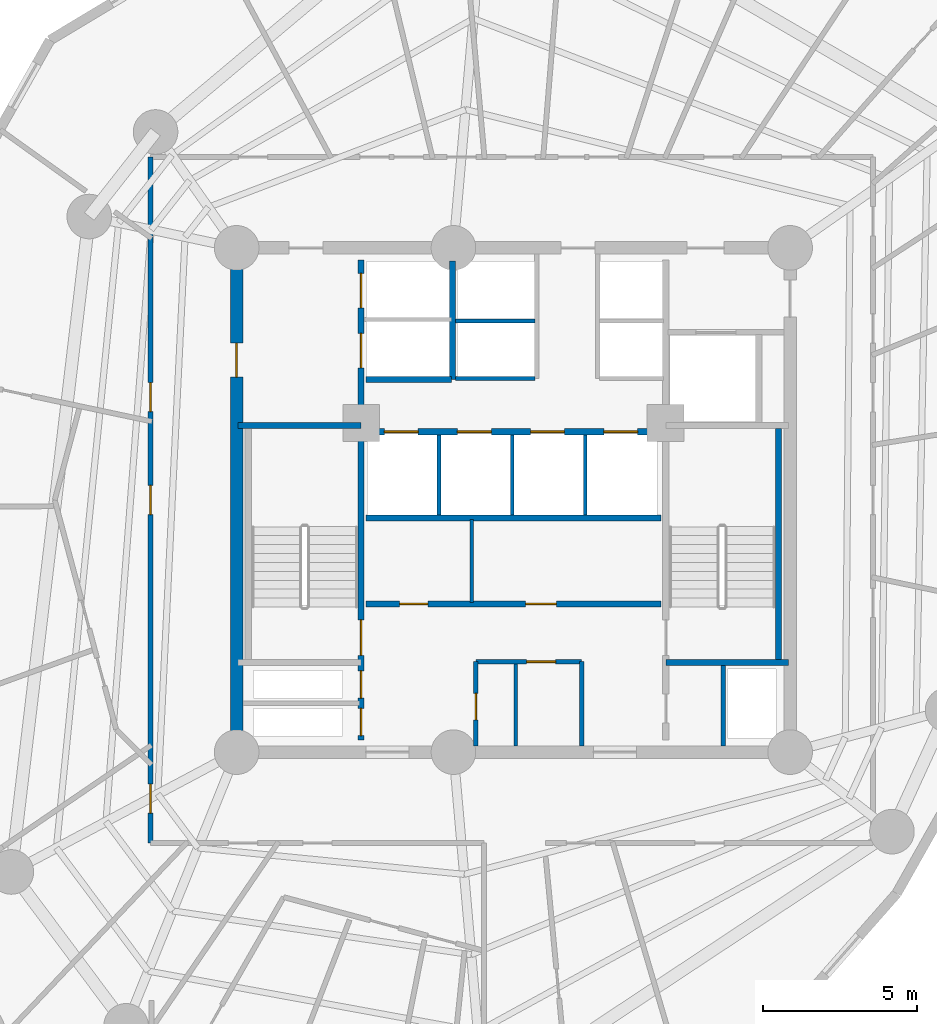
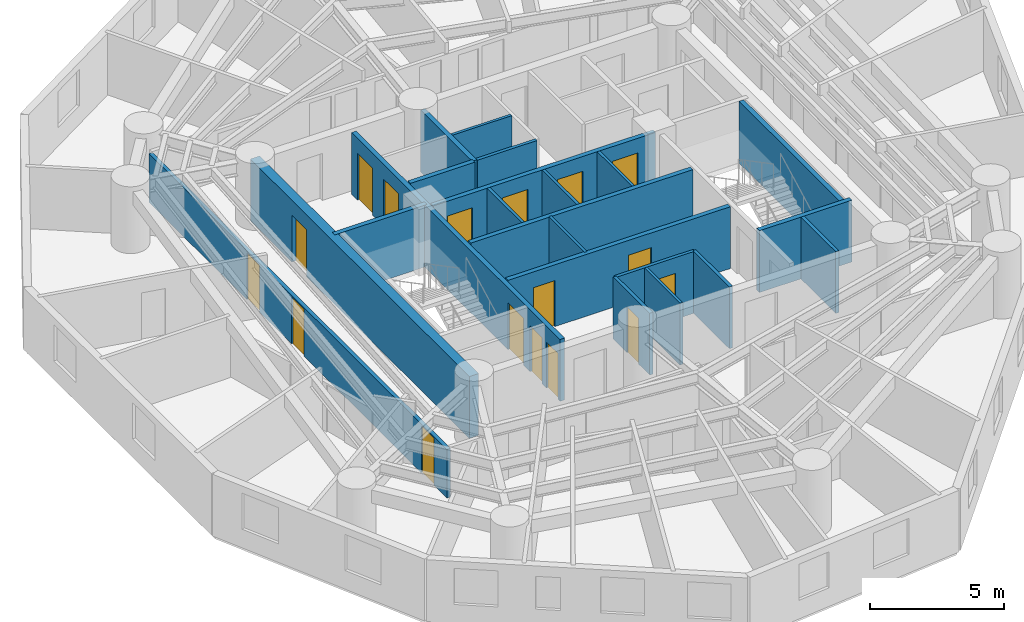
# One storey, part 4 of 8: 22 walls, 17 doors, 17 openings.
"""IFC4 building model written with IfcOpenShell, lengths in metres."""

from ifc_helpers import new_model, si_unit, direction, frame, frame_2d, origin, origin_with_axes, place, context, subcontext, project, spatial, rectangle, extrude, source, transform, mapped, material, layer, layer_set, type_object, element, fill, save


model = new_model("IFC4")

# Units and contexts
model_context = context("Model", 3, precision=1e-05, world=origin(), true_north=direction((0.0, 1.0)))
body_context = subcontext(model_context, "Body", "Model", "MODEL_VIEW")
ifc_project = project(units=[si_unit("LENGTHUNIT", "METRE"), si_unit("AREAUNIT", "SQUARE_METRE"), si_unit("VOLUMEUNIT", "CUBIC_METRE"), si_unit("PLANEANGLEUNIT", "RADIAN"), si_unit("MASSUNIT", "GRAM", prefix="KILO")], contexts=[model_context])

# Site, building, storey
site_placement = place(None, origin())
site = spatial("IfcSite", under=ifc_project, at=site_placement, CompositionType="ELEMENT")
building_placement = place(site_placement, origin())
building = spatial("IfcBuilding", under=site, at=building_placement, Name="Karkom Vertical University and Central Library", CompositionType="ELEMENT")
storey_placement = place(building_placement, frame((0.0, 0.0, 114.5)))
storey = spatial("IfcBuildingStorey", under=building, at=storey_placement, Name="L31", CompositionType="ELEMENT", Elevation=114.5)

# Wall, openings, doors
ifc_material_1 = material(Name="Insulated metal-stud drywall 160mm", Category="gypsum")
ifc_layer_1 = layer(ifc_material_1, 0.159912109375)
ifc_layer_set_1 = layer_set([ifc_layer_1], Name="Insulated metal-stud drywall 160mm")
wall_type_1 = type_object("IfcWallType", Name="INT-WL-COR-160", PredefinedType="PARTITIONING", material=ifc_layer_set_1)
wall_1_placement = place(storey_placement, frame((16.699951171875, 15.35009765625, 0.0), z_axis=(0.0, 0.0, 1.0), x_axis=(0.0, 1.0, 0.0)))
wall_1 = element("IfcWall", 1, at=wall_1_placement, inside=storey, type_object=wall_type_1, Name="Level 31 Interior Partition Wall L31-CORW-CW-002", PredefinedType="PARTITIONING", context=body_context, shape_type="SweptSolid", body=[
    extrude(rectangle(XDim=22.2998046875, YDim=0.159912109375, at=frame_2d((11.14990234375, 0.0))), origin(), (0.0, 0.0, 1.0), 2.22509765625),
])
opening_1_placement = place(wall_1_placement, frame((10.675048828125, 0.0, 0.0)))
opening_1 = element("IfcOpeningElement", 2, at=opening_1_placement, cuts=wall_1, Name="Opening D-RM1", PredefinedType="OPENING", context=body_context, shape_type="SweptSolid", body=[
    extrude(rectangle(XDim=0.949951171875, YDim=2.14990234375, at=frame_2d((0.47509765625, 1.074951171875))), frame((0.0, 0.08984375, 0.0), z_axis=(0.0, -1.0, 0.0), x_axis=(1.0, 0.0, 0.0)), (0.0, 0.0, 1.0), 0.179931640625),
])
opening_2_placement = place(wall_1_placement, frame((0.962890625, 0.0, 0.0)))
opening_2 = element("IfcOpeningElement", 3, at=opening_2_placement, cuts=wall_1, Name="Opening D-RM1", PredefinedType="OPENING", context=body_context, shape_type="SweptSolid", body=[
    extrude(rectangle(XDim=0.949951171875, YDim=2.14990234375, at=frame_2d((0.47509765625, 1.074951171875))), frame((0.0, 0.08984375, 0.0), z_axis=(0.0, -1.0, 0.0), x_axis=(1.0, 0.0, 0.0)), (0.0, 0.0, 1.0), 0.179931640625),
])
opening_3_placement = place(wall_1_placement, frame((14.02001953125, 0.0, 0.0)))
opening_3 = element("IfcOpeningElement", 4, at=opening_3_placement, cuts=wall_1, Name="Opening D-RM1", PredefinedType="OPENING", context=body_context, shape_type="SweptSolid", body=[
    extrude(rectangle(XDim=0.949951171875, YDim=2.14990234375, at=frame_2d((0.47509765625, 1.074951171875))), frame((0.0, 0.08984375, 0.0), z_axis=(0.0, -1.0, 0.0), x_axis=(1.0, 0.0, 0.0)), (0.0, 0.0, 1.0), 0.179931640625),
])
ifc_material_2 = material(Name="Solid-core oak veneer door", Category="wood")
door_type_1 = type_object("IfcDoorType", Name="INT-DR-RM1", OperationType="NOTDEFINED", PredefinedType="DOOR", material=ifc_material_2)
shared_shape_1 = source(origin_with_axes(), body_context, "Body", "SweptSolid", [
    extrude(rectangle(XDim=0.949951171875, YDim=2.14990234375, at=frame_2d((0.47509765625, 1.074951171875))), frame((0.0, 0.02490234375, 0.0), z_axis=(0.0, -1.0, 0.0), x_axis=(1.0, 0.0, 0.0)), (0.0, 0.0, 1.0), 0.050048828125),
])
door_1_placement = place(opening_1_placement, origin())
door_1 = element("IfcDoor", 5, at=door_1_placement, inside=storey, type_object=door_type_1, Name="Level 31 Room Entry Door 000", OperationType="SINGLE_SWING_LEFT", OverallHeight=2.14990234375, OverallWidth=0.949951171875, PredefinedType="DOOR", context=body_context, shape_type="MappedRepresentation", body=[
    mapped(shared_shape_1, transform((0.0, 0.0, 0.0), scale=1.0)),
])
fill(opening_1, door_1)
door_2_placement = place(opening_2_placement, origin())
door_2 = element("IfcDoor", 6, at=door_2_placement, inside=storey, type_object=door_type_1, Name="Level 31 Room Entry Door 030", OperationType="SINGLE_SWING_RIGHT", OverallHeight=2.14990234375, OverallWidth=0.949951171875, PredefinedType="DOOR", context=body_context, shape_type="MappedRepresentation", body=[
    mapped(shared_shape_1, transform((0.0, 0.0, 0.0), scale=1.0)),
])
fill(opening_2, door_2)
door_3_placement = place(opening_3_placement, origin())
door_3 = element("IfcDoor", 7, at=door_3_placement, inside=storey, type_object=door_type_1, Name="Level 31 Room Entry Door 260", OperationType="SINGLE_SWING_RIGHT", OverallHeight=2.14990234375, OverallWidth=0.949951171875, PredefinedType="DOOR", context=body_context, shape_type="MappedRepresentation", body=[
    mapped(shared_shape_1, transform((0.0, 0.0, 0.0), scale=1.0)),
])
fill(opening_3, door_3)

# Walls
ifc_material_3 = material(Name="Moisture-resistant drywall 120mm", Category="gypsum")
ifc_layer_2 = layer(ifc_material_3, 0.1201171875)
ifc_layer_set_2 = layer_set([ifc_layer_2], Name="Moisture-resistant drywall 120mm")
wall_type_2 = type_object("IfcWallType", Name="INT-WL-INT-120", PredefinedType="PARTITIONING", material=ifc_layer_set_2)
wall_2_placement = place(storey_placement, frame((27.14990234375, 23.169921875, 0.0), z_axis=(0.0, 0.0, 1.0), x_axis=(0.0, 1.0, 0.0)))
element("IfcWall", 8, at=wall_2_placement, inside=storey, type_object=wall_type_2, Name="Level 31 Interior Partition Wall L31-CW-B1-K2", PredefinedType="PARTITIONING", context=body_context, shape_type="SweptSolid", body=[
    extrude(rectangle(XDim=2.7001953125, YDim=0.1201171875, at=frame_2d((1.35009765625, 0.0))), origin(), (0.0, 0.0, 1.0), 2.824951171875),
])
wall_3_placement = place(storey_placement, frame((28.580078125, 18.507080078125, 0.0), z_axis=(0.0, 0.0, 1.0), x_axis=(0.0, 1.0, 0.0)))
element("IfcWall", 9, at=wall_3_placement, inside=storey, type_object=wall_type_2, Name="Level 31 Interior Partition Wall L31-CW-K2-DIV", PredefinedType="PARTITIONING", context=body_context, shape_type="SweptSolid", body=[
    extrude(rectangle(XDim=2.66162109375, YDim=0.1201171875, at=frame_2d((1.330810546875, 0.0))), origin(), (0.0, 0.0, 1.0), 2.824951171875),
])
ifc_layer_3 = layer(ifc_material_3, 0.1201171875)
ifc_layer_set_3 = layer_set([ifc_layer_3], Name="Moisture-resistant drywall 120mm")
wall_type_3 = type_object("IfcWallType", Name="INT-WL-INT-120H", PredefinedType="PARTITIONING", material=ifc_layer_set_3)
for number, where, z_axis, x_axis, name in (
    (10, (26.080078125, 26.02001953125, 0.0), (0.0, 0.0, 1.0), (0.0, 1.0, 0.0), "Level 31 Interior Partition Wall L31-CW-PM-DIV1"),
    (11, (28.4599609375, 26.02001953125, 0.0), (0.0, 0.0, 1.0), (0.0, 1.0, 0.0), "Level 31 Interior Partition Wall L31-CW-PM-DIV2"),
    (12, (30.840087890625, 26.02001953125, 0.0), (0.0, 0.0, 1.0), (0.0, 1.0, 0.0), "Level 31 Interior Partition Wall L31-CW-PM-DIV3"),
):
    element("IfcWall", number, at=place(storey_placement, frame(where, z_axis=z_axis, x_axis=x_axis)), inside=storey, type_object=wall_type_3, Name=name, PredefinedType="PARTITIONING", context=body_context, shape_type="SweptSolid", body=[
        extrude(rectangle(XDim=2.60009765625, YDim=0.1201171875, at=frame_2d((1.300048828125, 0.0))), origin(), (0.0, 0.0, 1.0), 2.824951171875),
    ])
wall_4_placement = place(storey_placement, frame((26.6201171875, 32.320068359375, 0.0), z_axis=(0.0, 0.0, 1.0), x_axis=(1.0, 0.0, 0.0)))
element("IfcWall", 13, at=wall_4_placement, inside=storey, type_object=wall_type_3, Name="Level 31 Interior Partition Wall L31-CW-PH-MW", PredefinedType="PARTITIONING", context=body_context, shape_type="SweptSolid", body=[
    extrude(rectangle(XDim=2.579833984375, YDim=0.1201171875, at=frame_2d((1.2900390625, 0.0))), origin(), (0.0, 0.0, 1.0), 2.824951171875),
])

# Wall, opening, door
ifc_material_4 = material(Name="Metal-stud gypsum partition 140mm", Category="gypsum")
ifc_layer_4 = layer(ifc_material_4, 0.139892578125)
ifc_layer_set_4 = layer_set([ifc_layer_4], Name="Metal-stud gypsum partition 140mm")
wall_type_4 = type_object("IfcWallType", Name="INT-WL-SUB-140", PredefinedType="PARTITIONING", material=ifc_layer_set_4)
wall_5_placement = place(storey_placement, frame((27.280029296875, 21.239990234375, 0.0), z_axis=(0.0, 0.0, 1.0), x_axis=(1.0, 0.0, 0.0)))
wall_5 = element("IfcWall", 14, at=wall_5_placement, inside=storey, type_object=wall_type_4, Name="Level 31 Interior Partition Wall L31-CW-KBAY-N", PredefinedType="PARTITIONING", context=body_context, shape_type="SweptSolid", body=[
    extrude(rectangle(XDim=3.43994140625, YDim=0.139892578125, at=frame_2d((1.719970703125, 0.0))), origin(), (0.0, 0.0, 1.0), 2.824951171875),
])
opening_4_placement = place(wall_5_placement, frame((1.64990234375, 0.0, 0.0)))
opening_4 = element("IfcOpeningElement", 15, at=opening_4_placement, cuts=wall_5, Name="Opening D-WC1", PredefinedType="OPENING", context=body_context, shape_type="SweptSolid", body=[
    extrude(rectangle(XDim=0.93994140625, YDim=2.10009765625, at=frame_2d((0.469970703125, 1.050048828125))), frame((0.0, 0.080078125, 0.0), z_axis=(0.0, -1.0, 0.0), x_axis=(1.0, 0.0, 0.0)), (0.0, 0.0, 1.0), 0.159912109375),
])
ifc_material_5 = material(Name="Fire-rated laminate moisture-resistant door", Category="wood")
door_type_2 = type_object("IfcDoorType", Name="INT-DR-WC1", OperationType="NOTDEFINED", PredefinedType="DOOR", material=ifc_material_5)
shared_shape_2 = source(origin_with_axes(), body_context, "Body", "SweptSolid", [
    extrude(rectangle(XDim=0.93994140625, YDim=2.10009765625, at=frame_2d((0.469970703125, 1.050048828125))), frame((0.0, 0.02490234375, 0.0), z_axis=(0.0, -1.0, 0.0), x_axis=(1.0, 0.0, 0.0)), (0.0, 0.0, 1.0), 0.050048828125),
])
door_4_placement = place(opening_4_placement, origin())
door_4 = element("IfcDoor", 16, at=door_4_placement, inside=storey, type_object=door_type_2, Name="Level 31 Staff WC Door", OperationType="SINGLE_SWING_LEFT", OverallHeight=2.10009765625, OverallWidth=0.93994140625, PredefinedType="DOOR", context=body_context, shape_type="MappedRepresentation", body=[
    mapped(shared_shape_2, transform((0.0, 0.0, 0.0), scale=1.0)),
])
fill(opening_4, door_4)

wall_6_placement = place(storey_placement, frame((27.280029296875, 18.507080078125, 0.0), z_axis=(0.0, 0.0, 1.0), x_axis=(0.0, 1.0, 0.0)))
wall_6 = element("IfcWall", 17, at=wall_6_placement, inside=storey, type_object=wall_type_4, Name="Level 31 Interior Partition Wall L31-CW-KBAY-W", PredefinedType="PARTITIONING", context=body_context, shape_type="SweptSolid", body=[
    extrude(rectangle(XDim=2.73291015625, YDim=0.139892578125, at=frame_2d((1.366455078125, 0.0))), origin(), (0.0, 0.0, 1.0), 2.824951171875),
])
opening_5_placement = place(wall_6_placement, frame((0.840087890625, 0.0, 0.0)))
opening_5 = element("IfcOpeningElement", 18, at=opening_5_placement, cuts=wall_6, Name="Opening D-BATH", PredefinedType="OPENING", context=body_context, shape_type="SweptSolid", body=[
    extrude(rectangle(XDim=0.860107421875, YDim=2.10009765625, at=frame_2d((0.43017578125, 1.050048828125))), frame((0.0, 0.080078125, 0.0), z_axis=(0.0, -1.0, 0.0), x_axis=(1.0, 0.0, 0.0)), (0.0, 0.0, 1.0), 0.159912109375),
])
ifc_material_6 = material(Name="Moisture-resistant oak door", Category="wood")
door_type_3 = type_object("IfcDoorType", Name="INT-DR-BATH", OperationType="NOTDEFINED", PredefinedType="DOOR", material=ifc_material_6)
shared_shape_3 = source(origin_with_axes(), body_context, "Body", "SweptSolid", [
    extrude(rectangle(XDim=0.860107421875, YDim=2.10009765625, at=frame_2d((0.43017578125, 1.050048828125))), frame((0.0, 0.02490234375, 0.0), z_axis=(0.0, -1.0, 0.0), x_axis=(1.0, 0.0, 0.0)), (0.0, 0.0, 1.0), 0.050048828125),
])
door_5_placement = place(opening_5_placement, origin())
door_5 = element("IfcDoor", 19, at=door_5_placement, inside=storey, type_object=door_type_3, Name="Level 31 Cleaners Store Door", OperationType="SINGLE_SWING_RIGHT", OverallHeight=2.10009765625, OverallWidth=0.860107421875, PredefinedType="DOOR", context=body_context, shape_type="MappedRepresentation", body=[
    mapped(shared_shape_3, transform((0.0, 0.0, 0.0), scale=1.0)),
])
fill(opening_5, door_5)

# Walls
wall_7_placement = place(storey_placement, frame((30.719970703125, 18.507080078125, 0.0), z_axis=(0.0, 0.0, 1.0), x_axis=(0.0, 1.0, 0.0)))
element("IfcWall", 20, at=wall_7_placement, inside=storey, type_object=wall_type_4, Name="Level 31 Interior Partition Wall L31-CW-KBAY-E", PredefinedType="PARTITIONING", context=body_context, shape_type="SweptSolid", body=[
    extrude(rectangle(XDim=2.73291015625, YDim=0.139892578125, at=frame_2d((1.366455078125, 0.0))), origin(), (0.0, 0.0, 1.0), 2.824951171875),
])
ifc_layer_5 = layer(ifc_material_4, 0.139892578125)
ifc_layer_set_5 = layer_set([ifc_layer_5], Name="Metal-stud gypsum partition 140mm")
wall_type_5 = type_object("IfcWallType", Name="INT-WL-SUB-140H", PredefinedType="PARTITIONING", material=ifc_layer_set_5)
wall_8_placement = place(storey_placement, frame((26.6201171875, 30.449951171875, 0.0), z_axis=(0.0, 0.0, 1.0), x_axis=(1.0, 0.0, 0.0)))
element("IfcWall", 21, at=wall_8_placement, inside=storey, type_object=wall_type_5, Name="Level 31 Interior Partition Wall L31-CW-PH-S1", PredefinedType="PARTITIONING", context=body_context, shape_type="SweptSolid", body=[
    extrude(rectangle(XDim=2.579833984375, YDim=0.139892578125, at=frame_2d((1.2900390625, 0.0))), origin(), (0.0, 0.0, 1.0), 2.824951171875),
])
wall_9_placement = place(storey_placement, frame((35.320068359375, 18.507080078125, 0.0), z_axis=(0.0, 0.0, 1.0), x_axis=(0.0, 1.0, 0.0)))
element("IfcWall", 22, at=wall_9_placement, inside=storey, type_object=wall_type_5, Name="Level 31 Interior Partition Wall L31-CW-RIS-E", PredefinedType="PARTITIONING", context=body_context, shape_type="SweptSolid", body=[
    extrude(rectangle(XDim=2.603759765625, YDim=0.139892578125, at=frame_2d((1.3017578125, 0.0))), origin(), (0.0, 0.0, 1.0), 2.824951171875),
])

# Wall, opening, door
ifc_material_7 = material(Name="Concrete C50/60", Category="concrete")
ifc_layer_6 = layer(ifc_material_7, 0.39990234375)
ifc_layer_set_6 = layer_set([ifc_layer_6], Name="Concrete C50/60")
wall_type_6 = type_object("IfcWallType", Name="STR-WL-CW-400", PredefinedType="SHEAR", material=ifc_layer_set_6)
wall_10_placement = place(storey_placement, frame((19.5, 34.699951171875, 0.0), z_axis=(0.0, 0.0, 1.0), x_axis=(0.0, -1.0, 0.0)))
wall_10 = element("IfcWall", 23, at=wall_10_placement, inside=storey, type_object=wall_type_6, Name="Level 31 Central Core Shear Wall WW", PredefinedType="SHEAR", context=body_context, shape_type="SweptSolid", body=[
    extrude(rectangle(XDim=16.39990234375, YDim=0.39990234375, at=frame_2d((8.199951171875, 0.0))), origin(), (0.0, 0.0, 1.0), 2.824951171875),
])
opening_6_placement = place(wall_10_placement, frame((3.10009765625, 0.0, 0.0)))
opening_6 = element("IfcOpeningElement", 24, at=opening_6_placement, cuts=wall_10, Name="Opening FD-FFL", PredefinedType="OPENING", context=body_context, shape_type="SweptSolid", body=[
    extrude(rectangle(XDim=1.10009765625, YDim=2.14990234375, at=frame_2d((0.550048828125, 1.074951171875))), frame((0.0, 0.2099609375, 0.0), z_axis=(0.0, -1.0, 0.0), x_axis=(1.0, 0.0, 0.0)), (0.0, 0.0, 1.0), 0.419921875),
])
ifc_material_8 = material(Name="Painted steel smoke-seal fire door", Category="steel")
door_type_4 = type_object("IfcDoorType", Name="INT-DR-FFL", OperationType="NOTDEFINED", PredefinedType="DOOR", material=ifc_material_8)
shared_shape_4 = source(origin_with_axes(), body_context, "Body", "SweptSolid", [
    extrude(rectangle(XDim=1.10009765625, YDim=2.14990234375, at=frame_2d((0.550048828125, 1.074951171875))), frame((0.0, 0.02490234375, 0.0), z_axis=(0.0, -1.0, 0.0), x_axis=(1.0, 0.0, 0.0)), (0.0, 0.0, 1.0), 0.050048828125),
])
door_6_placement = place(opening_6_placement, origin())
door_6 = element("IfcDoor", 25, at=door_6_placement, inside=storey, type_object=door_type_4, Name="Level 31 West Corridor Firefighting Lobby Door", OperationType="SINGLE_SWING_RIGHT", OverallHeight=2.14990234375, OverallWidth=1.10009765625, PredefinedType="DOOR", context=body_context, shape_type="MappedRepresentation", body=[
    mapped(shared_shape_4, transform((0.0, 0.0, 0.0), scale=1.0)),
])
fill(opening_6, door_6)

# Wall, openings, doors
ifc_material_9 = material(Name="Concrete C45/55", Category="concrete")
ifc_layer_7 = layer(ifc_material_9, 0.199951171875)
ifc_layer_set_7 = layer_set([ifc_layer_7], Name="Concrete C45/55")
wall_type_7 = type_object("IfcWallType", Name="STR-WL-ST-200", PredefinedType="SHEAR", material=ifc_layer_set_7)
wall_11_placement = place(storey_placement, frame((23.544921875, 18.699951171875, 0.0), z_axis=(0.0, 0.0, 1.0), x_axis=(0.0, 1.0, 0.0)))
wall_11 = element("IfcWall", 26, at=wall_11_placement, inside=storey, type_object=wall_type_7, Name="Level 31 Core Shaft Wall L31-CW-ST1-E", PredefinedType="SHEAR", context=body_context, shape_type="SweptSolid", body=[
    extrude(rectangle(XDim=15.60009765625, YDim=0.199951171875, at=frame_2d((7.800048828125, 0.0))), origin(), (0.0, 0.0, 1.0), 2.824951171875),
])
opening_7_placement = place(wall_11_placement, frame((2.75, 0.0, 0.0)))
opening_7 = element("IfcOpeningElement", 27, at=opening_7_placement, cuts=wall_11, Name="Opening FD-ST1", PredefinedType="OPENING", context=body_context, shape_type="SweptSolid", body=[
    extrude(rectangle(XDim=1.14990234375, YDim=2.14990234375, at=frame_2d((0.574951171875, 1.074951171875))), frame((0.0, 0.10986328125, 0.0), z_axis=(0.0, -1.0, 0.0), x_axis=(1.0, 0.0, 0.0)), (0.0, 0.0, 1.0), 0.219970703125),
])
opening_8_placement = place(wall_11_placement, frame((0.139892578125, 0.0, 0.0)))
opening_8 = element("IfcOpeningElement", 28, at=opening_8_placement, cuts=wall_11, Name="Opening FD-RIS", PredefinedType="OPENING", context=body_context, shape_type="SweptSolid", body=[
    extrude(rectangle(XDim=0.8798828125, YDim=2.10009765625, at=frame_2d((0.43994140625, 1.050048828125))), frame((0.0, 0.10986328125, 0.0), z_axis=(0.0, -1.0, 0.0), x_axis=(1.0, 0.0, 0.0)), (0.0, 0.0, 1.0), 0.219970703125),
])
opening_9_placement = place(wall_11_placement, frame((1.360107421875, 0.0, 0.0)))
opening_9 = element("IfcOpeningElement", 29, at=opening_9_placement, cuts=wall_11, Name="Opening FD-RIS", PredefinedType="OPENING", context=body_context, shape_type="SweptSolid", body=[
    extrude(rectangle(XDim=0.8798828125, YDim=2.10009765625, at=frame_2d((0.43994140625, 1.050048828125))), frame((0.0, 0.10986328125, 0.0), z_axis=(0.0, -1.0, 0.0), x_axis=(1.0, 0.0, 0.0)), (0.0, 0.0, 1.0), 0.219970703125),
])
opening_10_placement = place(wall_11_placement, frame((12.10009765625, 0.0, 0.0)))
opening_10 = element("IfcOpeningElement", 30, at=opening_10_placement, cuts=wall_11, Name="Opening LD-FFL", PredefinedType="OPENING", context=body_context, shape_type="SweptSolid", body=[
    extrude(rectangle(XDim=1.1201171875, YDim=2.14990234375, at=frame_2d((0.56005859375, 1.074951171875))), frame((0.0, 0.10986328125, 0.0), z_axis=(0.0, -1.0, 0.0), x_axis=(1.0, 0.0, 0.0)), (0.0, 0.0, 1.0), 0.219970703125),
])
opening_11_placement = place(wall_11_placement, frame((14.050048828125, 0.0, 0.0)))
opening_11 = element("IfcOpeningElement", 31, at=opening_11_placement, cuts=wall_11, Name="Opening LD-FFL", PredefinedType="OPENING", context=body_context, shape_type="SweptSolid", body=[
    extrude(rectangle(XDim=1.1201171875, YDim=2.14990234375, at=frame_2d((0.56005859375, 1.074951171875))), frame((0.0, 0.10986328125, 0.0), z_axis=(0.0, -1.0, 0.0), x_axis=(1.0, 0.0, 0.0)), (0.0, 0.0, 1.0), 0.219970703125),
])
ifc_material_10 = material(Name="Painted steel acoustic fire door", Category="steel")
door_type_5 = type_object("IfcDoorType", Name="INT-DR-ST1", OperationType="NOTDEFINED", PredefinedType="DOOR", material=ifc_material_10)
shared_shape_5 = source(origin_with_axes(), body_context, "Body", "SweptSolid", [
    extrude(rectangle(XDim=1.14990234375, YDim=2.14990234375, at=frame_2d((0.574951171875, 1.074951171875))), frame((0.0, 0.02490234375, 0.0), z_axis=(0.0, -1.0, 0.0), x_axis=(1.0, 0.0, 0.0)), (0.0, 0.0, 1.0), 0.050048828125),
])
door_7_placement = place(opening_7_placement, origin())
door_7 = element("IfcDoor", 32, at=door_7_placement, inside=storey, type_object=door_type_5, Name="Level 31 Stair ST-1 Fire Door", OperationType="SINGLE_SWING_LEFT", OverallHeight=2.14990234375, OverallWidth=1.14990234375, PredefinedType="DOOR", context=body_context, shape_type="MappedRepresentation", body=[
    mapped(shared_shape_5, transform((0.0, 0.0, 0.0), scale=1.0)),
])
fill(opening_7, door_7)
ifc_material_11 = material(Name="Painted steel riser access door", Category="steel")
door_type_6 = type_object("IfcDoorType", Name="INT-DR-RIS", OperationType="NOTDEFINED", PredefinedType="DOOR", material=ifc_material_11)
shared_shape_6 = source(origin_with_axes(), body_context, "Body", "SweptSolid", [
    extrude(rectangle(XDim=0.8798828125, YDim=2.10009765625, at=frame_2d((0.43994140625, 1.050048828125))), frame((0.0, 0.02490234375, 0.0), z_axis=(0.0, -1.0, 0.0), x_axis=(1.0, 0.0, 0.0)), (0.0, 0.0, 1.0), 0.050048828125),
])
door_8_placement = place(opening_8_placement, origin())
door_8 = element("IfcDoor", 33, at=door_8_placement, inside=storey, type_object=door_type_6, Name="Level 31 Electrical Riser Access Door", OperationType="SINGLE_SWING_LEFT", OverallHeight=2.10009765625, OverallWidth=0.8798828125, PredefinedType="DOOR", context=body_context, shape_type="MappedRepresentation", body=[
    mapped(shared_shape_6, transform((0.0, 0.0, 0.0), scale=1.0)),
])
fill(opening_8, door_8)
door_9_placement = place(opening_9_placement, origin())
door_9 = element("IfcDoor", 34, at=door_9_placement, inside=storey, type_object=door_type_6, Name="Level 31 Telecom Riser Access Door", OperationType="SINGLE_SWING_RIGHT", OverallHeight=2.10009765625, OverallWidth=0.8798828125, PredefinedType="DOOR", context=body_context, shape_type="MappedRepresentation", body=[
    mapped(shared_shape_6, transform((0.0, 0.0, 0.0), scale=1.0)),
])
fill(opening_9, door_9)
ifc_material_12 = material(Name="Fire-rated stainless-steel landing door", Category="steel")
door_type_7 = type_object("IfcDoorType", Name="INT-DR-LD-FFL", OperationType="SLIDING_TO_LEFT", PredefinedType="DOOR", material=ifc_material_12)
shared_shape_7 = source(origin_with_axes(), body_context, "Body", "SweptSolid", [
    extrude(rectangle(XDim=1.1201171875, YDim=2.14990234375, at=frame_2d((0.56005859375, 1.074951171875))), frame((0.0, 0.02490234375, 0.0), z_axis=(0.0, -1.0, 0.0), x_axis=(1.0, 0.0, 0.0)), (0.0, 0.0, 1.0), 0.050048828125),
])
door_10_placement = place(opening_10_placement, origin())
door_10 = element("IfcDoor", 35, at=door_10_placement, inside=storey, type_object=door_type_7, Name="Level 31 Firefighting Lift FFL-1 Landing Door", OperationType="SLIDING_TO_LEFT", OverallHeight=2.14990234375, OverallWidth=1.1201171875, PredefinedType="DOOR", context=body_context, shape_type="MappedRepresentation", body=[
    mapped(shared_shape_7, transform((0.0, 0.0, 0.0), scale=1.0)),
])
fill(opening_10, door_10)
door_11_placement = place(opening_11_placement, origin())
door_11 = element("IfcDoor", 36, at=door_11_placement, inside=storey, type_object=door_type_7, Name="Level 31 Firefighting Lift FFL-2 Landing Door", OperationType="SLIDING_TO_RIGHT", OverallHeight=2.14990234375, OverallWidth=1.1201171875, PredefinedType="DOOR", context=body_context, shape_type="MappedRepresentation", body=[
    mapped(shared_shape_7, transform((0.0, 0.0, 0.0), scale=1.0)),
])
fill(opening_11, door_11)

wall_12_placement = place(storey_placement, frame((23.699951171875, 23.1201171875, 0.0), z_axis=(0.0, 0.0, 1.0), x_axis=(1.0, 0.0, 0.0)))
wall_12 = element("IfcWall", 37, at=wall_12_placement, inside=storey, type_object=wall_type_7, Name="Level 31 Core Shaft Wall L31-CW-B1-S", PredefinedType="SHEAR", context=body_context, shape_type="SweptSolid", body=[
    extrude(rectangle(XDim=9.60009765625, YDim=0.199951171875, at=frame_2d((4.800048828125, 0.0))), origin(), (0.0, 0.0, 1.0), 2.824951171875),
])
opening_12_placement = place(wall_12_placement, frame((1.10009765625, 0.0, 0.0)))
opening_12 = element("IfcOpeningElement", 38, at=opening_12_placement, cuts=wall_12, Name="Opening D-SVC1", PredefinedType="OPENING", context=body_context, shape_type="SweptSolid", body=[
    extrude(rectangle(XDim=0.919921875, YDim=2.10009765625, at=frame_2d((0.4599609375, 1.050048828125))), frame((0.0, 0.10986328125, 0.0), z_axis=(0.0, -1.0, 0.0), x_axis=(1.0, 0.0, 0.0)), (0.0, 0.0, 1.0), 0.219970703125),
])
opening_13_placement = place(wall_12_placement, frame((5.199951171875, 0.0, 0.0)))
opening_13 = element("IfcOpeningElement", 39, at=opening_13_placement, cuts=wall_12, Name="Opening D-STR1", PredefinedType="OPENING", context=body_context, shape_type="SweptSolid", body=[
    extrude(rectangle(XDim=1.0, YDim=2.14990234375, at=frame_2d((0.5, 1.074951171875))), frame((0.0, 0.10986328125, 0.0), z_axis=(0.0, -1.0, 0.0), x_axis=(1.0, 0.0, 0.0)), (0.0, 0.0, 1.0), 0.219970703125),
])
ifc_material_13 = material(Name="Painted timber service door", Category="wood")
door_type_8 = type_object("IfcDoorType", Name="INT-DR-SVC1", OperationType="NOTDEFINED", PredefinedType="DOOR", material=ifc_material_13)
shared_shape_8 = source(origin_with_axes(), body_context, "Body", "SweptSolid", [
    extrude(rectangle(XDim=0.919921875, YDim=2.10009765625, at=frame_2d((0.4599609375, 1.050048828125))), frame((0.0, 0.02490234375, 0.0), z_axis=(0.0, -1.0, 0.0), x_axis=(1.0, 0.0, 0.0)), (0.0, 0.0, 1.0), 0.050048828125),
])
door_12_placement = place(opening_12_placement, origin())
door_12 = element("IfcDoor", 40, at=door_12_placement, inside=storey, type_object=door_type_8, Name="Level 31 B1 West Store Door", OperationType="SINGLE_SWING_RIGHT", OverallHeight=2.10009765625, OverallWidth=0.919921875, PredefinedType="DOOR", context=body_context, shape_type="MappedRepresentation", body=[
    mapped(shared_shape_8, transform((0.0, 0.0, 0.0), scale=1.0)),
])
fill(opening_12, door_12)
ifc_material_14 = material(Name="Solid-core hardwood fire door", Category="wood")
door_type_9 = type_object("IfcDoorType", Name="INT-DR-STR1", OperationType="NOTDEFINED", PredefinedType="DOOR", material=ifc_material_14)
shared_shape_9 = source(origin_with_axes(), body_context, "Body", "SweptSolid", [
    extrude(rectangle(XDim=1.0, YDim=2.14990234375, at=frame_2d((0.5, 1.074951171875))), frame((0.0, 0.02490234375, 0.0), z_axis=(0.0, -1.0, 0.0), x_axis=(1.0, 0.0, 0.0)), (0.0, 0.0, 1.0), 0.050048828125),
])
door_13_placement = place(opening_13_placement, origin())
door_13 = element("IfcDoor", 41, at=door_13_placement, inside=storey, type_object=door_type_9, Name="Level 31 B1 East Plant Door", OperationType="SINGLE_SWING_LEFT", OverallHeight=2.14990234375, OverallWidth=1.0, PredefinedType="DOOR", context=body_context, shape_type="MappedRepresentation", body=[
    mapped(shared_shape_9, transform((0.0, 0.0, 0.0), scale=1.0)),
])
fill(opening_13, door_13)

# Wall
wall_13_placement = place(storey_placement, frame((23.699951171875, 25.919921875, 0.0), z_axis=(0.0, 0.0, 1.0), x_axis=(1.0, 0.0, 0.0)))
element("IfcWall", 42, at=wall_13_placement, inside=storey, type_object=wall_type_7, Name="Level 31 Core Shaft Wall L31-CW-B1-N", PredefinedType="SHEAR", context=body_context, shape_type="SweptSolid", body=[
    extrude(rectangle(XDim=9.60009765625, YDim=0.199951171875, at=frame_2d((4.800048828125, 0.0))), origin(), (0.0, 0.0, 1.0), 2.824951171875),
])

# Wall, openings, doors
wall_14_placement = place(storey_placement, frame((23.699951171875, 28.719970703125, 0.0), z_axis=(0.0, 0.0, 1.0), x_axis=(1.0, 0.0, 0.0)))
wall_14 = element("IfcWall", 43, at=wall_14_placement, inside=storey, type_object=wall_type_7, Name="Level 31 Core Shaft Wall L31-CW-B2-N", PredefinedType="SHEAR", context=body_context, shape_type="SweptSolid", body=[
    extrude(rectangle(XDim=9.60009765625, YDim=0.199951171875, at=frame_2d((4.800048828125, 0.0))), origin(), (0.0, 0.0, 1.0), 2.824951171875),
])
opening_14_placement = place(wall_14_placement, frame((0.60009765625, 0.0, 0.0)))
opening_14 = element("IfcOpeningElement", 44, at=opening_14_placement, cuts=wall_14, Name="Opening LD-PAX", PredefinedType="OPENING", context=body_context, shape_type="SweptSolid", body=[
    extrude(rectangle(XDim=1.10009765625, YDim=2.14990234375, at=frame_2d((0.550048828125, 1.074951171875))), frame((0.0, 0.10986328125, 0.0), z_axis=(0.0, -1.0, 0.0), x_axis=(1.0, 0.0, 0.0)), (0.0, 0.0, 1.0), 0.219970703125),
])
opening_15_placement = place(wall_14_placement, frame((2.97998046875, 0.0, 0.0)))
opening_15 = element("IfcOpeningElement", 45, at=opening_15_placement, cuts=wall_14, Name="Opening LD-PAX", PredefinedType="OPENING", context=body_context, shape_type="SweptSolid", body=[
    extrude(rectangle(XDim=1.10009765625, YDim=2.14990234375, at=frame_2d((0.550048828125, 1.074951171875))), frame((0.0, 0.10986328125, 0.0), z_axis=(0.0, -1.0, 0.0), x_axis=(1.0, 0.0, 0.0)), (0.0, 0.0, 1.0), 0.219970703125),
])
opening_16_placement = place(wall_14_placement, frame((5.360107421875, 0.0, 0.0)))
opening_16 = element("IfcOpeningElement", 46, at=opening_16_placement, cuts=wall_14, Name="Opening LD-PAX", PredefinedType="OPENING", context=body_context, shape_type="SweptSolid", body=[
    extrude(rectangle(XDim=1.10009765625, YDim=2.14990234375, at=frame_2d((0.550048828125, 1.074951171875))), frame((0.0, 0.10986328125, 0.0), z_axis=(0.0, -1.0, 0.0), x_axis=(1.0, 0.0, 0.0)), (0.0, 0.0, 1.0), 0.219970703125),
])
opening_17_placement = place(wall_14_placement, frame((7.739990234375, 0.0, 0.0)))
opening_17 = element("IfcOpeningElement", 47, at=opening_17_placement, cuts=wall_14, Name="Opening LD-PAX", PredefinedType="OPENING", context=body_context, shape_type="SweptSolid", body=[
    extrude(rectangle(XDim=1.10009765625, YDim=2.14990234375, at=frame_2d((0.550048828125, 1.074951171875))), frame((0.0, 0.10986328125, 0.0), z_axis=(0.0, -1.0, 0.0), x_axis=(1.0, 0.0, 0.0)), (0.0, 0.0, 1.0), 0.219970703125),
])
ifc_material_15 = material(Name="Brushed stainless-steel landing door", Category="steel")
door_type_10 = type_object("IfcDoorType", Name="INT-DR-LD-PAX", OperationType="SLIDING_TO_LEFT", PredefinedType="DOOR", material=ifc_material_15)
door_14_placement = place(opening_14_placement, origin())
door_14 = element("IfcDoor", 48, at=door_14_placement, inside=storey, type_object=door_type_10, Name="Level 31 Lift PM-1 Landing Door", OperationType="SLIDING_TO_LEFT", OverallHeight=2.14990234375, OverallWidth=1.10009765625, PredefinedType="DOOR", context=body_context, shape_type="MappedRepresentation", body=[
    mapped(shared_shape_4, transform((0.0, 0.0, 0.0), scale=1.0)),
])
fill(opening_14, door_14)
door_15_placement = place(opening_15_placement, origin())
door_15 = element("IfcDoor", 49, at=door_15_placement, inside=storey, type_object=door_type_10, Name="Level 31 Lift PM-2 Landing Door", OperationType="SLIDING_TO_RIGHT", OverallHeight=2.14990234375, OverallWidth=1.10009765625, PredefinedType="DOOR", context=body_context, shape_type="MappedRepresentation", body=[
    mapped(shared_shape_4, transform((0.0, 0.0, 0.0), scale=1.0)),
])
fill(opening_15, door_15)
door_16_placement = place(opening_16_placement, origin())
door_16 = element("IfcDoor", 50, at=door_16_placement, inside=storey, type_object=door_type_10, Name="Level 31 Lift PM-3 Landing Door", OperationType="SLIDING_TO_LEFT", OverallHeight=2.14990234375, OverallWidth=1.10009765625, PredefinedType="DOOR", context=body_context, shape_type="MappedRepresentation", body=[
    mapped(shared_shape_4, transform((0.0, 0.0, 0.0), scale=1.0)),
])
fill(opening_16, door_16)
door_17_placement = place(opening_17_placement, origin())
door_17 = element("IfcDoor", 51, at=door_17_placement, inside=storey, type_object=door_type_10, Name="Level 31 Lift PM-4 Landing Door", OperationType="SLIDING_TO_RIGHT", OverallHeight=2.14990234375, OverallWidth=1.10009765625, PredefinedType="DOOR", context=body_context, shape_type="MappedRepresentation", body=[
    mapped(shared_shape_4, transform((0.0, 0.0, 0.0), scale=1.0)),
])
fill(opening_17, door_17)

# Walls
wall_15_placement = place(storey_placement, frame((37.125, 21.320068359375, 0.0), z_axis=(0.0, 0.0, 1.0), x_axis=(0.0, 1.0, 0.0)))
element("IfcWall", 52, at=wall_15_placement, inside=storey, type_object=wall_type_7, Name="Level 31 Core Shaft Wall L31-CW-ST2-E", PredefinedType="SHEAR", context=body_context, shape_type="SweptSolid", body=[
    extrude(rectangle(XDim=7.5, YDim=0.199951171875, at=frame_2d((3.75, 0.0))), origin(), (0.0, 0.0, 1.0), 2.824951171875),
])
for number, where, z_axis, x_axis, name in (
    (53, (33.455078125, 21.215087890625, 0.0), (0.0, 0.0, 1.0), (1.0, 0.0, 0.0), "Level 31 Core Shaft Wall L31-CW-ST2-S"),
    (54, (19.550048828125, 28.925048828125, 0.0), (0.0, 0.0, 1.0), (1.0, 0.0, 0.0), "Level 31 Core Shaft Wall L31-CW-ST1-N"),
):
    element("IfcWall", number, at=place(storey_placement, frame(where, z_axis=z_axis, x_axis=x_axis)), inside=storey, type_object=wall_type_7, Name=name, PredefinedType="SHEAR", context=body_context, shape_type="SweptSolid", body=[
        extrude(rectangle(XDim=3.994873046875, YDim=0.199951171875, at=frame_2d((1.99755859375, 0.0))), origin(), (0.0, 0.0, 1.0), 2.824951171875),
    ])
wall_16_placement = place(storey_placement, frame((26.52001953125, 30.419921875, 0.0), z_axis=(0.0, 0.0, 1.0), x_axis=(0.0, 1.0, 0.0)))
element("IfcWall", 55, at=wall_16_placement, inside=storey, type_object=wall_type_7, Name="Level 31 Core Shaft Wall L31-CW-FFL-E", PredefinedType="SHEAR", context=body_context, shape_type="SweptSolid", body=[
    extrude(rectangle(XDim=3.860107421875, YDim=0.199951171875, at=frame_2d((1.93017578125, 0.0))), origin(), (0.0, 0.0, 1.0), 2.824951171875),
])
wall_17_placement = place(storey_placement, frame((23.699951171875, 30.419921875, 0.0), z_axis=(0.0, 0.0, 1.0), x_axis=(1.0, 0.0, 0.0)))
element("IfcWall", 56, at=wall_17_placement, inside=storey, type_object=wall_type_7, Name="Level 31 Core Shaft Wall L31-CW-FFL-S", PredefinedType="SHEAR", context=body_context, shape_type="SweptSolid", body=[
    extrude(rectangle(XDim=2.780029296875, YDim=0.199951171875, at=frame_2d((1.39013671875, 0.0))), origin(), (0.0, 0.0, 1.0), 2.824951171875),
])

save(model, "model.ifc")
